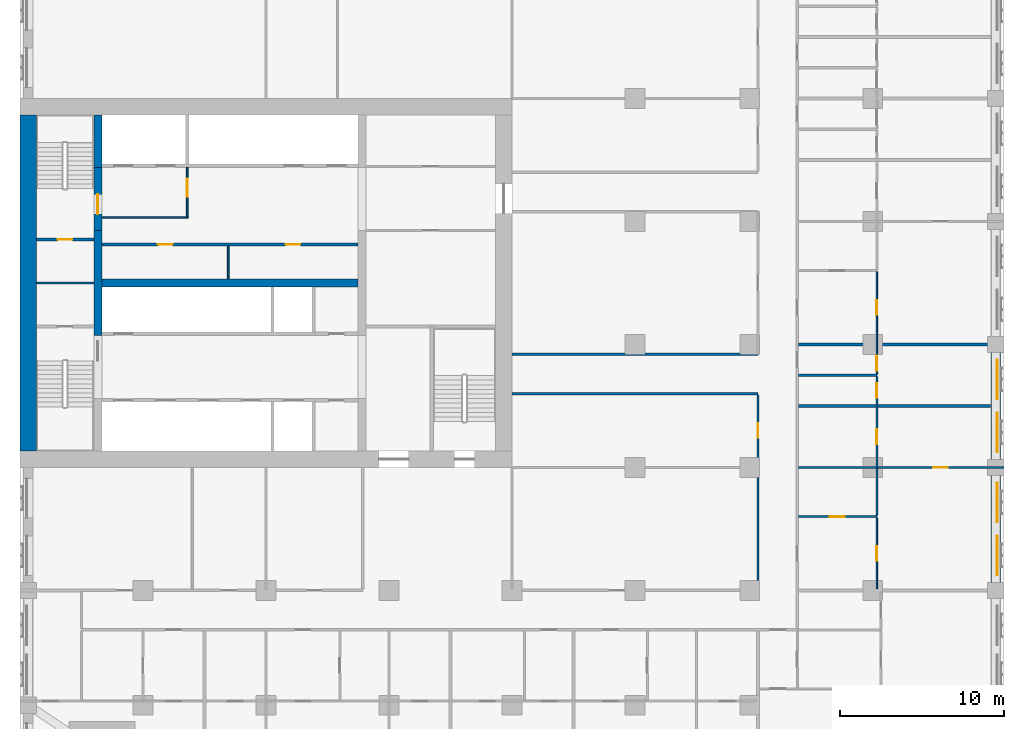
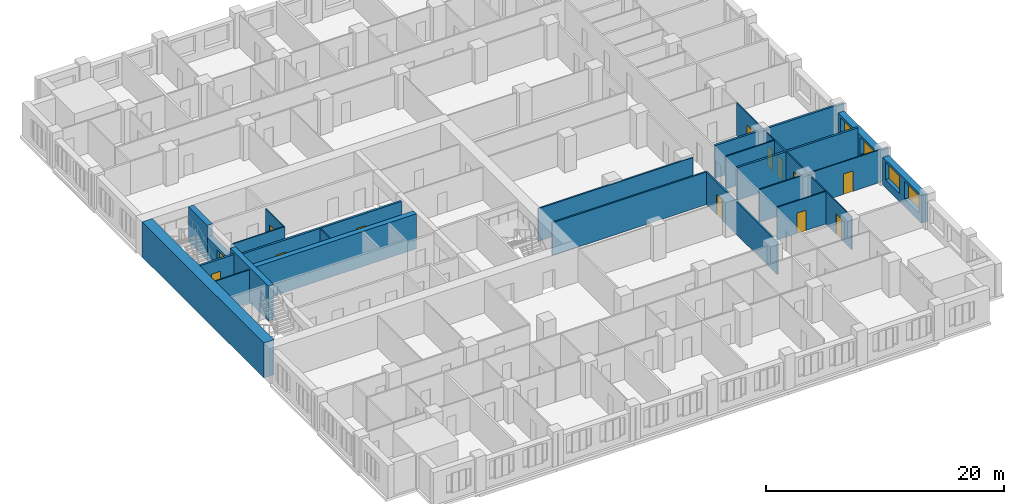
# One storey, part 7 of 14: 25 walls, 13 doors, 4 windows, 17 openings.
"""IFC4 building model written with IfcOpenShell, lengths in metres."""

from ifc_helpers import new_model, si_unit, direction, frame, frame_2d, origin, place, context, subcontext, project, spatial, rectangle, extrude, material, layer, layer_set, type_object, element, fill, save


model = new_model("IFC4")

# Units and contexts
model_context = context("Model", 3, precision=1e-05, world=origin(), true_north=direction((0.0, 1.0)))
body_context = subcontext(model_context, "Body", "Model", "MODEL_VIEW")
ifc_project = project(units=[si_unit("LENGTHUNIT", "METRE"), si_unit("AREAUNIT", "SQUARE_METRE"), si_unit("VOLUMEUNIT", "CUBIC_METRE"), si_unit("PLANEANGLEUNIT", "RADIAN"), si_unit("MASSUNIT", "GRAM", prefix="KILO")], contexts=[model_context])

# Site, building, storey
site_placement = place(None, origin())
site = spatial("IfcSite", under=ifc_project, at=site_placement, CompositionType="ELEMENT")
building_placement = place(site_placement, origin())
building = spatial("IfcBuilding", under=site, at=building_placement, Name="Tamorin Gate", CompositionType="ELEMENT")
storey_placement = place(building_placement, frame((0.0, 0.0, 55.60009765625)))
storey = spatial("IfcBuildingStorey", under=building, at=storey_placement, Name="L12", CompositionType="ELEMENT", Elevation=55.60009765625)

# Wall, openings, windows
ifc_material_1 = material(Name="Precast concrete C40/50", Category="concrete")
ifc_layer_1 = layer(ifc_material_1, 0.60009765625)
ifc_layer_set_1 = layer_set([ifc_layer_1], Name="Precast concrete C40/50")
wall_type_1 = type_object("IfcWallType", Name="Board-marked concrete facade panel 600", PredefinedType="SOLIDWALL", material=ifc_layer_set_1)
wall_1_placement = place(storey_placement, frame((89.5, 53.0, 0.0), z_axis=(0.0, 0.0, 1.0), x_axis=(0.0, 1.0, 0.0)))
wall_1 = element("IfcWall", 1, at=wall_1_placement, inside=storey, type_object=wall_type_1, Name="Facade panel", PredefinedType="SOLIDWALL", context=body_context, shape_type="SweptSolid", body=[
    extrude(rectangle(XDim=6.5, YDim=0.60009765625, at=frame_2d((3.25, 0.0))), origin(), (0.0, 0.0, 1.0), 2.849853515625),
])
opening_1_placement = place(wall_1_placement, frame((0.425048828125, 0.0, 0.800048828125)))
opening_1 = element("IfcOpeningElement", 2, at=opening_1_placement, cuts=wall_1, Name="Opening WN1", PredefinedType="OPENING", context=body_context, shape_type="SweptSolid", body=[
    extrude(rectangle(XDim=2.39990234375, YDim=1.800048828125, at=frame_2d((1.199951171875, 0.89990234375))), frame((0.0, 0.31005859375, 0.0), z_axis=(0.0, -1.0, 0.0), x_axis=(1.0, 0.0, 0.0)), (0.0, 0.0, 1.0), 0.6201171875),
])
opening_2_placement = place(wall_1_placement, frame((3.675048828125, 0.0, 0.800048828125)))
opening_2 = element("IfcOpeningElement", 3, at=opening_2_placement, cuts=wall_1, Name="Opening WN1", PredefinedType="OPENING", context=body_context, shape_type="SweptSolid", body=[
    extrude(rectangle(XDim=2.39990234375, YDim=1.800048828125, at=frame_2d((1.199951171875, 0.89990234375))), frame((0.0, 0.31005859375, 0.0), z_axis=(0.0, -1.0, 0.0), x_axis=(1.0, 0.0, 0.0)), (0.0, 0.0, 1.0), 0.6201171875),
])
ifc_material_2 = material(Name="Clear glass in aluminium frame", Category="aluminium")
window_type = type_object("IfcWindowType", Name="Deep-set window 2400x1800", PartitioningType="SINGLE_PANEL", PredefinedType="WINDOW", material=ifc_material_2)
window_1_placement = place(opening_1_placement, origin())
window_1 = element("IfcWindow", 4, at=window_1_placement, inside=storey, type_object=window_type, Name="Deep-set window", OverallHeight=1.800048828125, OverallWidth=2.39990234375, PartitioningType="SINGLE_PANEL", PredefinedType="WINDOW", context=body_context, shape_type="SweptSolid", body=[
    extrude(rectangle(XDim=2.39990234375, YDim=1.800048828125, at=frame_2d((1.199951171875, 0.89990234375))), frame((0.0, -0.070068359375, 0.0), z_axis=(0.0, -1.0, 0.0), x_axis=(1.0, 0.0, 0.0)), (0.0, 0.0, 1.0), 0.06005859375),
])
fill(opening_1, window_1)
window_2_placement = place(opening_2_placement, origin())
window_2 = element("IfcWindow", 5, at=window_2_placement, inside=storey, type_object=window_type, Name="Deep-set window", OverallHeight=1.800048828125, OverallWidth=2.39990234375, PartitioningType="SINGLE_PANEL", PredefinedType="WINDOW", context=body_context, shape_type="SweptSolid", body=[
    extrude(rectangle(XDim=2.39990234375, YDim=1.800048828125, at=frame_2d((1.199951171875, 0.89990234375))), frame((0.0, -0.070068359375, 0.0), z_axis=(0.0, -1.0, 0.0), x_axis=(1.0, 0.0, 0.0)), (0.0, 0.0, 1.0), 0.06005859375),
])
fill(opening_2, window_2)

wall_2_placement = place(storey_placement, frame((89.5, 60.5, 0.0), z_axis=(0.0, 0.0, 1.0), x_axis=(0.0, 1.0, 0.0)))
wall_2 = element("IfcWall", 6, at=wall_2_placement, inside=storey, type_object=wall_type_1, Name="Facade panel", PredefinedType="SOLIDWALL", context=body_context, shape_type="SweptSolid", body=[
    extrude(rectangle(XDim=6.5, YDim=0.60009765625, at=frame_2d((3.25, 0.0))), origin(), (0.0, 0.0, 1.0), 2.849853515625),
])
opening_3_placement = place(wall_2_placement, frame((0.425048828125, 0.0, 0.800048828125)))
opening_3 = element("IfcOpeningElement", 7, at=opening_3_placement, cuts=wall_2, Name="Opening WN1", PredefinedType="OPENING", context=body_context, shape_type="SweptSolid", body=[
    extrude(rectangle(XDim=2.39990234375, YDim=1.800048828125, at=frame_2d((1.199951171875, 0.89990234375))), frame((0.0, 0.31005859375, 0.0), z_axis=(0.0, -1.0, 0.0), x_axis=(1.0, 0.0, 0.0)), (0.0, 0.0, 1.0), 0.6201171875),
])
opening_4_placement = place(wall_2_placement, frame((3.675048828125, 0.0, 0.800048828125)))
opening_4 = element("IfcOpeningElement", 8, at=opening_4_placement, cuts=wall_2, Name="Opening WN1", PredefinedType="OPENING", context=body_context, shape_type="SweptSolid", body=[
    extrude(rectangle(XDim=2.39990234375, YDim=1.800048828125, at=frame_2d((1.199951171875, 0.89990234375))), frame((0.0, 0.31005859375, 0.0), z_axis=(0.0, -1.0, 0.0), x_axis=(1.0, 0.0, 0.0)), (0.0, 0.0, 1.0), 0.6201171875),
])
window_3_placement = place(opening_3_placement, origin())
window_3 = element("IfcWindow", 9, at=window_3_placement, inside=storey, type_object=window_type, Name="Deep-set window", OverallHeight=1.800048828125, OverallWidth=2.39990234375, PartitioningType="SINGLE_PANEL", PredefinedType="WINDOW", context=body_context, shape_type="SweptSolid", body=[
    extrude(rectangle(XDim=2.39990234375, YDim=1.800048828125, at=frame_2d((1.199951171875, 0.89990234375))), frame((0.0, -0.070068359375, 0.0), z_axis=(0.0, -1.0, 0.0), x_axis=(1.0, 0.0, 0.0)), (0.0, 0.0, 1.0), 0.06005859375),
])
fill(opening_3, window_3)
window_4_placement = place(opening_4_placement, origin())
window_4 = element("IfcWindow", 10, at=window_4_placement, inside=storey, type_object=window_type, Name="Deep-set window", OverallHeight=1.800048828125, OverallWidth=2.39990234375, PartitioningType="SINGLE_PANEL", PredefinedType="WINDOW", context=body_context, shape_type="SweptSolid", body=[
    extrude(rectangle(XDim=2.39990234375, YDim=1.800048828125, at=frame_2d((1.199951171875, 0.89990234375))), frame((0.0, -0.070068359375, 0.0), z_axis=(0.0, -1.0, 0.0), x_axis=(1.0, 0.0, 0.0)), (0.0, 0.0, 1.0), 0.06005859375),
])
fill(opening_4, window_4)

# Wall, opening, door
ifc_material_3 = material(Name="Gypsum board partition")
ifc_layer_2 = layer(ifc_material_3, 0.14990234375)
ifc_layer_set_2 = layer_set([ifc_layer_2], Name="Corridor wall 150")
wall_type_2 = type_object("IfcWallType", Name="Corridor wall 150", PredefinedType="PARTITIONING", material=ifc_layer_set_2)
wall_3_placement = place(storey_placement, frame((75.0, 52.574951171875, 0.0), z_axis=(0.0, 0.0, 1.0), x_axis=(0.0, 1.0, 0.0)))
wall_3 = element("IfcWall", 11, at=wall_3_placement, inside=storey, type_object=wall_type_2, Name="Corridor wall 150", PredefinedType="PARTITIONING", context=body_context, shape_type="SweptSolid", body=[
    extrude(rectangle(XDim=11.85009765625, YDim=0.14990234375, at=frame_2d((5.925048828125, 0.0))), origin(), (0.0, 0.0, 1.0), 3.349853515625),
])
opening_5_placement = place(wall_3_placement, frame((9.22509765625, 0.0, 0.0)))
opening_5 = element("IfcOpeningElement", 12, at=opening_5_placement, cuts=wall_3, Name="Opening DH3081", PredefinedType="OPENING", context=body_context, shape_type="SweptSolid", body=[
    extrude(rectangle(XDim=0.89990234375, YDim=2.10009765625, at=frame_2d((0.449951171875, 1.050048828125))), frame((0.0, 0.0849609375, 0.0), z_axis=(0.0, -1.0, 0.0), x_axis=(1.0, 0.0, 0.0)), (0.0, 0.0, 1.0), 0.169921875),
])
ifc_material_4 = material(Name="Timber door leaf", Category="wood")
door_type_1 = type_object("IfcDoorType", Name="Door 900 x 2100 FD30S", OperationType="NOTDEFINED", PredefinedType="DOOR", material=ifc_material_4)
door_1_placement = place(opening_5_placement, origin())
door_1 = element("IfcDoor", 13, at=door_1_placement, inside=storey, type_object=door_type_1, Name="Door DH3081", OperationType="SINGLE_SWING_LEFT", OverallHeight=2.10009765625, OverallWidth=0.89990234375, PredefinedType="DOOR", context=body_context, shape_type="SweptSolid", body=[
    extrude(rectangle(XDim=0.89990234375, YDim=2.10009765625, at=frame_2d((0.449951171875, 1.050048828125))), frame((0.0, 0.02490234375, 0.0), z_axis=(0.0, -1.0, 0.0), x_axis=(1.0, 0.0, 0.0)), (0.0, 0.0, 1.0), 0.050048828125),
])
fill(opening_5, door_1)

# Walls
ifc_layer_3 = layer(ifc_material_3, 0.199951171875)
ifc_layer_set_3 = layer_set([ifc_layer_3], Name="Demising wall 200")
wall_type_3 = type_object("IfcWallType", Name="Demising wall 200", PredefinedType="PARTITIONING", material=ifc_layer_set_3)
wall_4_placement = place(storey_placement, frame((77.47509765625, 63.75, 0.0), z_axis=(0.0, 0.0, 1.0), x_axis=(1.0, 0.0, 0.0)))
element("IfcWall", 14, at=wall_4_placement, inside=storey, type_object=wall_type_3, Name="Demising wall 200", PredefinedType="PARTITIONING", context=body_context, shape_type="SweptSolid", body=[
    extrude(rectangle(XDim=11.71484375, YDim=0.199951171875, at=frame_2d((5.857421875, 0.0))), origin(), (0.0, 0.0, 1.0), 3.349853515625),
])
wall_5_placement = place(storey_placement, frame((77.47509765625, 67.5, 0.0), z_axis=(0.0, 0.0, 1.0), x_axis=(1.0, 0.0, 0.0)))
element("IfcWall", 15, at=wall_5_placement, inside=storey, type_object=wall_type_3, Name="Demising wall 200", PredefinedType="PARTITIONING", context=body_context, shape_type="SweptSolid", body=[
    extrude(rectangle(XDim=12.52490234375, YDim=0.199951171875, at=frame_2d((6.262451171875, 0.0))), origin(), (0.0, 0.0, 1.0), 3.349853515625),
])
ifc_material_5 = material(Name="Fire-rated gypsum board partition")
ifc_layer_4 = layer(ifc_material_5, 0.10009765625)
ifc_layer_set_4 = layer_set([ifc_layer_4], Name="Lobby wall 100 EI 60")
wall_type_4 = type_object("IfcWallType", Name="Lobby wall 100 EI 60", PredefinedType="PARTITIONING", material=ifc_layer_set_4)
wall_6_placement = place(storey_placement, frame((35.0, 75.25, 0.0), z_axis=(0.0, 0.0, 1.0), x_axis=(1.0, 0.0, 0.0)))
element("IfcWall", 16, at=wall_6_placement, inside=storey, type_object=wall_type_4, Name="Firefighting lobby wall", PredefinedType="PARTITIONING", context=body_context, shape_type="SweptSolid", body=[
    extrude(rectangle(XDim=5.25, YDim=0.10009765625, at=frame_2d((2.625, 0.0))), origin(), (0.0, 0.0, 1.0), 3.349853515625),
])

# Wall, opening, door
wall_7_placement = place(storey_placement, frame((40.199951171875, 75.300048828125, 0.0), z_axis=(0.0, 0.0, 1.0), x_axis=(0.0, 1.0, 0.0)))
wall_7 = element("IfcWall", 17, at=wall_7_placement, inside=storey, type_object=wall_type_4, Name="Firefighting lobby wall", PredefinedType="PARTITIONING", context=body_context, shape_type="SweptSolid", body=[
    extrude(rectangle(XDim=3.0, YDim=0.10009765625, at=frame_2d((1.5, 0.0))), origin(), (0.0, 0.0, 1.0), 3.349853515625),
])
opening_6_placement = place(wall_7_placement, frame((1.199951171875, 0.0, 0.0)))
opening_6 = element("IfcOpeningElement", 18, at=opening_6_placement, cuts=wall_7, Name="Opening DF1", PredefinedType="OPENING", context=body_context, shape_type="SweptSolid", body=[
    extrude(rectangle(XDim=1.10009765625, YDim=2.10009765625, at=frame_2d((0.550048828125, 1.050048828125))), frame((0.0, 0.06005859375, 0.0), z_axis=(0.0, -1.0, 0.0), x_axis=(1.0, 0.0, 0.0)), (0.0, 0.0, 1.0), 0.1201171875),
])
ifc_material_6 = material(Name="Steel fire door", Category="steel")
door_type_2 = type_object("IfcDoorType", Name="Firefighting lobby door 1100 x 2100 EI 90", OperationType="SINGLE_SWING_LEFT", PredefinedType="DOOR", material=ifc_material_6)
door_2_placement = place(opening_6_placement, origin())
door_2 = element("IfcDoor", 19, at=door_2_placement, inside=storey, type_object=door_type_2, Name="Firefighting lobby door", OperationType="SINGLE_SWING_LEFT", OverallHeight=2.10009765625, OverallWidth=1.10009765625, PredefinedType="DOOR", context=body_context, shape_type="SweptSolid", body=[
    extrude(rectangle(XDim=1.10009765625, YDim=2.10009765625, at=frame_2d((0.550048828125, 1.050048828125))), frame((0.0, 0.02490234375, 0.0), z_axis=(0.0, -1.0, 0.0), x_axis=(1.0, 0.0, 0.0)), (0.0, 0.0, 1.0), 0.050048828125),
])
fill(opening_6, door_2)

# Walls
ifc_layer_5 = layer(ifc_material_3, 0.14990234375)
ifc_layer_set_5 = layer_set([ifc_layer_5], Name="Lobby wall 150")
wall_type_5 = type_object("IfcWallType", Name="Lobby wall 150", PredefinedType="PARTITIONING", material=ifc_layer_set_5)
for number, where, z_axis, x_axis, name in (
    (20, (60.0, 64.5, 0.0), (0.0, 0.0, 1.0), (1.0, 0.0, 0.0), "Lobby wall 150"),
    (21, (60.0, 66.89990234375, 0.0), (0.0, 0.0, 1.0), (1.0, 0.0, 0.0), "Lobby wall 150"),
):
    element("IfcWall", number, at=place(storey_placement, frame(where, z_axis=z_axis, x_axis=x_axis)), inside=storey, type_object=wall_type_5, Name=name, PredefinedType="PARTITIONING", context=body_context, shape_type="SweptSolid", body=[
        extrude(rectangle(XDim=15.0, YDim=0.14990234375, at=frame_2d((7.5, 0.0))), origin(), (0.0, 0.0, 1.0), 3.349853515625),
    ])
ifc_material_7 = material(Name="Concrete C80/95", Category="concrete")
ifc_layer_6 = layer(ifc_material_7, 0.5)
ifc_layer_set_6 = layer_set([ifc_layer_6], Name="RC core internal wall 500 C80/95")
wall_type_6 = type_object("IfcWallType", Name="RC core internal wall 500 C80/95", PredefinedType="SHEAR", material=ifc_layer_set_6)
wall_8_placement = place(storey_placement, frame((35.0, 71.25, 0.0), z_axis=(0.0, 0.0, 1.0), x_axis=(1.0, 0.0, 0.0)))
element("IfcWall", 22, at=wall_8_placement, inside=storey, type_object=wall_type_6, Name="Core spine wall L12", PredefinedType="SHEAR", context=body_context, shape_type="SweptSolid", body=[
    extrude(rectangle(XDim=15.60009765625, YDim=0.5, at=frame_2d((7.800048828125, 0.0))), origin(), (0.0, 0.0, 1.0), 3.599853515625),
])
wall_9_placement = place(storey_placement, frame((34.75, 68.050048828125, 0.0), z_axis=(0.0, 0.0, 1.0), x_axis=(0.0, 1.0, 0.0)))
element("IfcWall", 23, at=wall_9_placement, inside=storey, type_object=wall_type_6, Name="Core cross wall L12", PredefinedType="SHEAR", context=body_context, shape_type="SweptSolid", body=[
    extrude(rectangle(XDim=6.39990234375, YDim=0.5, at=frame_2d((3.199951171875, 0.0))), origin(), (0.0, 0.0, 1.0), 3.599853515625),
])
wall_10_placement = place(storey_placement, frame((34.75, 78.300048828125, 0.0), z_axis=(0.0, 0.0, 1.0), x_axis=(0.0, 1.0, 0.0)))
element("IfcWall", 24, at=wall_10_placement, inside=storey, type_object=wall_type_6, Name="Core cross wall L12", PredefinedType="SHEAR", context=body_context, shape_type="SweptSolid", body=[
    extrude(rectangle(XDim=3.199951171875, YDim=0.5, at=frame_2d((1.60009765625, 0.0))), origin(), (0.0, 0.0, 1.0), 3.599853515625),
])
ifc_layer_7 = layer(ifc_material_7, 1.0)
ifc_layer_set_7 = layer_set([ifc_layer_7], Name="RC core wall 1000 C80/95")
wall_type_7 = type_object("IfcWallType", Name="RC core wall 1000 C80/95", PredefinedType="SHEAR", material=ifc_layer_set_7)
wall_11_placement = place(storey_placement, frame((30.5, 61.0, 0.0), z_axis=(0.0, 0.0, 1.0), x_axis=(0.0, 1.0, 0.0)))
element("IfcWall", 25, at=wall_11_placement, inside=storey, type_object=wall_type_7, Name="Core wall L12", PredefinedType="SHEAR", context=body_context, shape_type="SweptSolid", body=[
    extrude(rectangle(XDim=20.5, YDim=1.0, at=frame_2d((10.25, 0.0))), origin(), (0.0, 0.0, 1.0), 3.599853515625),
])
ifc_layer_8 = layer(ifc_material_5, 0.10009765625)
ifc_layer_set_8 = layer_set([ifc_layer_8], Name="Riser partition 100 EI 120")
wall_type_8 = type_object("IfcWallType", Name="Riser partition 100 EI 120", PredefinedType="PARTITIONING", material=ifc_layer_set_8)
wall_12_placement = place(storey_placement, frame((31.0, 71.25, 0.0), z_axis=(0.0, 0.0, 1.0), x_axis=(1.0, 0.0, 0.0)))
element("IfcWall", 26, at=wall_12_placement, inside=storey, type_object=wall_type_8, Name="Riser partition", PredefinedType="PARTITIONING", context=body_context, shape_type="SweptSolid", body=[
    extrude(rectangle(XDim=3.5, YDim=0.10009765625, at=frame_2d((1.75, 0.0))), origin(), (0.0, 0.0, 1.0), 3.349853515625),
])

# Wall, opening, door
ifc_layer_9 = layer(ifc_material_3, 0.10009765625)
ifc_layer_set_9 = layer_set([ifc_layer_9], Name="Room partition 100")
wall_type_9 = type_object("IfcWallType", Name="Room partition 100", PredefinedType="PARTITIONING", material=ifc_layer_set_9)
wall_13_placement = place(storey_placement, frame((82.3125, 60.0, 0.0), z_axis=(0.0, 0.0, 1.0), x_axis=(1.0, 0.0, 0.0)))
wall_13 = element("IfcWall", 27, at=wall_13_placement, inside=storey, type_object=wall_type_9, Name="Room partition 100", PredefinedType="PARTITIONING", context=body_context, shape_type="SweptSolid", body=[
    extrude(rectangle(XDim=7.6875, YDim=0.10009765625, at=frame_2d((3.84375, 0.0))), origin(), (0.0, 0.0, 1.0), 3.349853515625),
])
opening_7_placement = place(wall_13_placement, frame((3.362548828125, 0.0, 0.0)))
opening_7 = element("IfcOpeningElement", 28, at=opening_7_placement, cuts=wall_13, Name="Opening DH3043", PredefinedType="OPENING", context=body_context, shape_type="SweptSolid", body=[
    extrude(rectangle(XDim=0.89990234375, YDim=2.10009765625, at=frame_2d((0.449951171875, 1.050048828125))), frame((0.0, 0.06005859375, 0.0), z_axis=(0.0, -1.0, 0.0), x_axis=(1.0, 0.0, 0.0)), (0.0, 0.0, 1.0), 0.1201171875),
])
door_type_3 = type_object("IfcDoorType", Name="Door 900 x 2100", OperationType="NOTDEFINED", PredefinedType="DOOR", material=ifc_material_4)
door_3_placement = place(opening_7_placement, origin())
door_3 = element("IfcDoor", 29, at=door_3_placement, inside=storey, type_object=door_type_3, Name="Door DH3043", OperationType="SINGLE_SWING_RIGHT", OverallHeight=2.10009765625, OverallWidth=0.89990234375, PredefinedType="DOOR", context=body_context, shape_type="SweptSolid", body=[
    extrude(rectangle(XDim=0.89990234375, YDim=2.10009765625, at=frame_2d((0.449951171875, 1.050048828125))), frame((0.0, 0.02490234375, 0.0), z_axis=(0.0, -1.0, 0.0), x_axis=(1.0, 0.0, 0.0)), (0.0, 0.0, 1.0), 0.050048828125),
])
fill(opening_7, door_3)

wall_14_placement = place(storey_placement, frame((82.25, 52.60009765625, 0.0), z_axis=(0.0, 0.0, 1.0), x_axis=(0.0, 1.0, 0.0)))
wall_14 = element("IfcWall", 30, at=wall_14_placement, inside=storey, type_object=wall_type_9, Name="Room partition 100", PredefinedType="PARTITIONING", context=body_context, shape_type="SweptSolid", body=[
    extrude(rectangle(XDim=4.33740234375, YDim=0.10009765625, at=frame_2d((2.168701171875, 0.0))), origin(), (0.0, 0.0, 1.0), 3.349853515625),
])
opening_8_placement = place(wall_14_placement, frame((1.699951171875, 0.0, 0.0)))
opening_8 = element("IfcOpeningElement", 31, at=opening_8_placement, cuts=wall_14, Name="Opening DH3040", PredefinedType="OPENING", context=body_context, shape_type="SweptSolid", body=[
    extrude(rectangle(XDim=0.89990234375, YDim=2.10009765625, at=frame_2d((0.449951171875, 1.050048828125))), frame((0.0, 0.06005859375, 0.0), z_axis=(0.0, -1.0, 0.0), x_axis=(1.0, 0.0, 0.0)), (0.0, 0.0, 1.0), 0.1201171875),
])
door_4_placement = place(opening_8_placement, origin())
door_4 = element("IfcDoor", 32, at=door_4_placement, inside=storey, type_object=door_type_3, Name="Door DH3040", OperationType="SINGLE_SWING_LEFT", OverallHeight=2.10009765625, OverallWidth=0.89990234375, PredefinedType="DOOR", context=body_context, shape_type="SweptSolid", body=[
    extrude(rectangle(XDim=0.89990234375, YDim=2.10009765625, at=frame_2d((0.449951171875, 1.050048828125))), frame((0.0, 0.02490234375, 0.0), z_axis=(0.0, -1.0, 0.0), x_axis=(1.0, 0.0, 0.0)), (0.0, 0.0, 1.0), 0.050048828125),
])
fill(opening_8, door_4)

# Wall, openings, doors
wall_15_placement = place(storey_placement, frame((82.25, 65.6875, 0.0), z_axis=(0.0, 0.0, 1.0), x_axis=(0.0, 1.0, 0.0)))
wall_15 = element("IfcWall", 33, at=wall_15_placement, inside=storey, type_object=wall_type_9, Name="Room partition 100", PredefinedType="PARTITIONING", context=body_context, shape_type="SweptSolid", body=[
    extrude(rectangle(XDim=6.25, YDim=0.10009765625, at=frame_2d((3.125, 0.0))), origin(), (0.0, 0.0, 1.0), 3.349853515625),
])
opening_9_placement = place(wall_15_placement, frame((0.22509765625, 0.0, 0.0)))
opening_9 = element("IfcOpeningElement", 34, at=opening_9_placement, cuts=wall_15, Name="Opening DH3046", PredefinedType="OPENING", context=body_context, shape_type="SweptSolid", body=[
    extrude(rectangle(XDim=0.89990234375, YDim=2.10009765625, at=frame_2d((0.449951171875, 1.050048828125))), frame((0.0, 0.06005859375, 0.0), z_axis=(0.0, -1.0, 0.0), x_axis=(1.0, 0.0, 0.0)), (0.0, 0.0, 1.0), 0.1201171875),
])
opening_10_placement = place(wall_15_placement, frame((3.612548828125, 0.0, 0.0)))
opening_10 = element("IfcOpeningElement", 35, at=opening_10_placement, cuts=wall_15, Name="Opening DH3048", PredefinedType="OPENING", context=body_context, shape_type="SweptSolid", body=[
    extrude(rectangle(XDim=0.89990234375, YDim=2.10009765625, at=frame_2d((0.449951171875, 1.050048828125))), frame((0.0, 0.06005859375, 0.0), z_axis=(0.0, -1.0, 0.0), x_axis=(1.0, 0.0, 0.0)), (0.0, 0.0, 1.0), 0.1201171875),
])
door_5_placement = place(opening_9_placement, origin())
door_5 = element("IfcDoor", 36, at=door_5_placement, inside=storey, type_object=door_type_3, Name="Door DH3046", OperationType="SINGLE_SWING_LEFT", OverallHeight=2.10009765625, OverallWidth=0.89990234375, PredefinedType="DOOR", context=body_context, shape_type="SweptSolid", body=[
    extrude(rectangle(XDim=0.89990234375, YDim=2.10009765625, at=frame_2d((0.449951171875, 1.050048828125))), frame((0.0, 0.02490234375, 0.0), z_axis=(0.0, -1.0, 0.0), x_axis=(1.0, 0.0, 0.0)), (0.0, 0.0, 1.0), 0.050048828125),
])
fill(opening_9, door_5)
door_6_placement = place(opening_10_placement, origin())
door_6 = element("IfcDoor", 37, at=door_6_placement, inside=storey, type_object=door_type_3, Name="Door DH3048", OperationType="SINGLE_SWING_LEFT", OverallHeight=2.10009765625, OverallWidth=0.89990234375, PredefinedType="DOOR", context=body_context, shape_type="SweptSolid", body=[
    extrude(rectangle(XDim=0.89990234375, YDim=2.10009765625, at=frame_2d((0.449951171875, 1.050048828125))), frame((0.0, 0.02490234375, 0.0), z_axis=(0.0, -1.0, 0.0), x_axis=(1.0, 0.0, 0.0)), (0.0, 0.0, 1.0), 0.050048828125),
])
fill(opening_10, door_6)

ifc_layer_10 = layer(ifc_material_3, 0.199951171875)
ifc_layer_set_10 = layer_set([ifc_layer_10], Name="Service room face wall 200 EI 60")
wall_type_10 = type_object("IfcWallType", Name="Service room face wall 200 EI 60", PredefinedType="PARTITIONING", material=ifc_layer_set_10)
wall_16_placement = place(storey_placement, frame((35.0, 73.60009765625, 0.0), z_axis=(0.0, 0.0, 1.0), x_axis=(1.0, 0.0, 0.0)))
wall_16 = element("IfcWall", 38, at=wall_16_placement, inside=storey, type_object=wall_type_10, Name="Service room face wall", PredefinedType="PARTITIONING", context=body_context, shape_type="SweptSolid", body=[
    extrude(rectangle(XDim=15.60009765625, YDim=0.199951171875, at=frame_2d((7.800048828125, 0.0))), origin(), (0.0, 0.0, 1.0), 3.349853515625),
])
opening_11_placement = place(wall_16_placement, frame((3.39990234375, 0.0, 0.0)))
opening_11 = element("IfcOpeningElement", 39, at=opening_11_placement, cuts=wall_16, Name="Opening DK1", PredefinedType="OPENING", context=body_context, shape_type="SweptSolid", body=[
    extrude(rectangle(XDim=0.89990234375, YDim=2.10009765625, at=frame_2d((0.449951171875, 1.050048828125))), frame((0.0, 0.10986328125, 0.0), z_axis=(0.0, -1.0, 0.0), x_axis=(1.0, 0.0, 0.0)), (0.0, 0.0, 1.0), 0.219970703125),
])
opening_12_placement = place(wall_16_placement, frame((11.199951171875, 0.0, 0.0)))
opening_12 = element("IfcOpeningElement", 40, at=opening_12_placement, cuts=wall_16, Name="Opening DK1", PredefinedType="OPENING", context=body_context, shape_type="SweptSolid", body=[
    extrude(rectangle(XDim=0.89990234375, YDim=2.10009765625, at=frame_2d((0.449951171875, 1.050048828125))), frame((0.0, 0.10986328125, 0.0), z_axis=(0.0, -1.0, 0.0), x_axis=(1.0, 0.0, 0.0)), (0.0, 0.0, 1.0), 0.219970703125),
])
ifc_material_8 = material(Name="Timber fire door", Category="wood")
door_type_4 = type_object("IfcDoorType", Name="Service room door 900 x 2100 EI 60", OperationType="SINGLE_SWING_LEFT", PredefinedType="DOOR", material=ifc_material_8)
door_7_placement = place(opening_11_placement, origin())
door_7 = element("IfcDoor", 41, at=door_7_placement, inside=storey, type_object=door_type_4, Name="Door Housekeeping store", OperationType="SINGLE_SWING_RIGHT", OverallHeight=2.10009765625, OverallWidth=0.89990234375, PredefinedType="DOOR", context=body_context, shape_type="SweptSolid", body=[
    extrude(rectangle(XDim=0.89990234375, YDim=2.10009765625, at=frame_2d((0.449951171875, 1.050048828125))), frame((0.0, 0.02490234375, 0.0), z_axis=(0.0, -1.0, 0.0), x_axis=(1.0, 0.0, 0.0)), (0.0, 0.0, 1.0), 0.050048828125),
])
fill(opening_11, door_7)
door_8_placement = place(opening_12_placement, origin())
door_8 = element("IfcDoor", 42, at=door_8_placement, inside=storey, type_object=door_type_4, Name="Door Electrical and IT room", OperationType="SINGLE_SWING_LEFT", OverallHeight=2.10009765625, OverallWidth=0.89990234375, PredefinedType="DOOR", context=body_context, shape_type="SweptSolid", body=[
    extrude(rectangle(XDim=0.89990234375, YDim=2.10009765625, at=frame_2d((0.449951171875, 1.050048828125))), frame((0.0, 0.02490234375, 0.0), z_axis=(0.0, -1.0, 0.0), x_axis=(1.0, 0.0, 0.0)), (0.0, 0.0, 1.0), 0.050048828125),
])
fill(opening_12, door_8)

# Wall
ifc_layer_11 = layer(ifc_material_3, 0.10009765625)
ifc_layer_set_11 = layer_set([ifc_layer_11], Name="Service room partition 100 EI 60")
wall_type_11 = type_object("IfcWallType", Name="Service room partition 100 EI 60", PredefinedType="PARTITIONING", material=ifc_layer_set_11)
wall_17_placement = place(storey_placement, frame((42.699951171875, 71.5, 0.0), z_axis=(0.0, 0.0, 1.0), x_axis=(0.0, 1.0, 0.0)))
element("IfcWall", 43, at=wall_17_placement, inside=storey, type_object=wall_type_11, Name="Service room partition", PredefinedType="PARTITIONING", context=body_context, shape_type="SweptSolid", body=[
    extrude(rectangle(XDim=2.0, YDim=0.10009765625, at=frame_2d((1.0, 0.0))), origin(), (0.0, 0.0, 1.0), 3.349853515625),
])

# Wall, opening, door
ifc_material_9 = material(Name="Concrete C40/50", Category="concrete")
ifc_layer_12 = layer(ifc_material_9, 0.199951171875)
ifc_layer_set_12 = layer_set([ifc_layer_12], Name="Stair enclosure wall 200 EI 120 C40/50")
wall_type_12 = type_object("IfcWallType", Name="Stair enclosure wall 200 EI 120 C40/50", PredefinedType="SOLIDWALL", material=ifc_layer_set_12)
wall_18_placement = place(storey_placement, frame((31.0, 73.89990234375, 0.0), z_axis=(0.0, 0.0, 1.0), x_axis=(1.0, 0.0, 0.0)))
wall_18 = element("IfcWall", 44, at=wall_18_placement, inside=storey, type_object=wall_type_12, Name="Stair enclosure wall", PredefinedType="SOLIDWALL", context=body_context, shape_type="SweptSolid", body=[
    extrude(rectangle(XDim=3.5, YDim=0.199951171875, at=frame_2d((1.75, 0.0))), origin(), (0.0, 0.0, 1.0), 3.349853515625),
])
opening_13_placement = place(wall_18_placement, frame((1.300048828125, 0.0, 0.0)))
opening_13 = element("IfcOpeningElement", 45, at=opening_13_placement, cuts=wall_18, Name="Opening DR1", PredefinedType="OPENING", context=body_context, shape_type="SweptSolid", body=[
    extrude(rectangle(XDim=0.89990234375, YDim=2.10009765625, at=frame_2d((0.449951171875, 1.050048828125))), frame((0.0, 0.10986328125, 0.0), z_axis=(0.0, -1.0, 0.0), x_axis=(1.0, 0.0, 0.0)), (0.0, 0.0, 1.0), 0.219970703125),
])
door_type_5 = type_object("IfcDoorType", Name="Riser access door 900 x 2100 EI 120", OperationType="SINGLE_SWING_LEFT", PredefinedType="DOOR", material=ifc_material_6)
door_9_placement = place(opening_13_placement, origin())
door_9 = element("IfcDoor", 46, at=door_9_placement, inside=storey, type_object=door_type_5, Name="Communications riser door", OperationType="SINGLE_SWING_RIGHT", OverallHeight=2.10009765625, OverallWidth=0.89990234375, PredefinedType="DOOR", context=body_context, shape_type="SweptSolid", body=[
    extrude(rectangle(XDim=0.89990234375, YDim=2.10009765625, at=frame_2d((0.449951171875, 1.050048828125))), frame((0.0, 0.02490234375, 0.0), z_axis=(0.0, -1.0, 0.0), x_axis=(1.0, 0.0, 0.0)), (0.0, 0.0, 1.0), 0.050048828125),
])
fill(opening_13, door_9)

ifc_material_10 = material(Name="Concrete C32/40", Category="concrete")
ifc_layer_13 = layer(ifc_material_10, 0.5)
ifc_layer_set_13 = layer_set([ifc_layer_13], Name="Stair lobby infill wall 500 EI 120")
wall_type_13 = type_object("IfcWallType", Name="Stair lobby infill wall 500 EI 120", PredefinedType="SOLIDWALL", material=ifc_layer_set_13)
wall_19_placement = place(storey_placement, frame((34.75, 74.449951171875, 0.0), z_axis=(0.0, 0.0, 1.0), x_axis=(0.0, 1.0, 0.0)))
wall_19 = element("IfcWall", 47, at=wall_19_placement, inside=storey, type_object=wall_type_13, Name="Stair lobby infill wall", PredefinedType="SOLIDWALL", context=body_context, shape_type="SweptSolid", body=[
    extrude(rectangle(XDim=3.85009765625, YDim=0.5, at=frame_2d((1.925048828125, 0.0))), origin(), (0.0, 0.0, 1.0), 2.39990234375),
])
opening_14_placement = place(wall_19_placement, frame((1.0, 0.0, 0.0)))
opening_14 = element("IfcOpeningElement", 48, at=opening_14_placement, cuts=wall_19, Name="Opening DS1", PredefinedType="OPENING", context=body_context, shape_type="SweptSolid", body=[
    extrude(rectangle(XDim=1.199951171875, YDim=2.10009765625, at=frame_2d((0.60009765625, 1.050048828125))), frame((0.0, 0.260009765625, 0.0), z_axis=(0.0, -1.0, 0.0), x_axis=(1.0, 0.0, 0.0)), (0.0, 0.0, 1.0), 0.52001953125),
])
door_type_6 = type_object("IfcDoorType", Name="Stair door 1200 x 2100 EI 90", OperationType="SINGLE_SWING_LEFT", PredefinedType="DOOR", material=ifc_material_6)
door_10_placement = place(opening_14_placement, origin())
door_10 = element("IfcDoor", 49, at=door_10_placement, inside=storey, type_object=door_type_6, Name="ST2 door", OperationType="SINGLE_SWING_RIGHT", OverallHeight=2.10009765625, OverallWidth=1.199951171875, PredefinedType="DOOR", context=body_context, shape_type="SweptSolid", body=[
    extrude(rectangle(XDim=1.199951171875, YDim=2.10009765625, at=frame_2d((0.60009765625, 1.050048828125))), frame((0.0, 0.02490234375, 0.0), z_axis=(0.0, -1.0, 0.0), x_axis=(1.0, 0.0, 0.0)), (0.0, 0.0, 1.0), 0.050048828125),
])
fill(opening_14, door_10)

ifc_layer_14 = layer(ifc_material_3, 0.125)
ifc_layer_set_14 = layer_set([ifc_layer_14], Name="Wet wall 125")
wall_type_14 = type_object("IfcWallType", Name="Wet wall 125", PredefinedType="PARTITIONING", material=ifc_layer_set_14)
wall_20_placement = place(storey_placement, frame((77.47509765625, 57.0, 0.0), z_axis=(0.0, 0.0, 1.0), x_axis=(1.0, 0.0, 0.0)))
wall_20 = element("IfcWall", 50, at=wall_20_placement, inside=storey, type_object=wall_type_14, Name="Wet wall 125", PredefinedType="PARTITIONING", context=body_context, shape_type="SweptSolid", body=[
    extrude(rectangle(XDim=4.77490234375, YDim=0.125, at=frame_2d((2.387451171875, 0.0))), origin(), (0.0, 0.0, 1.0), 3.349853515625),
])
opening_15_placement = place(wall_20_placement, frame((1.89990234375, 0.0, 0.0)))
opening_15 = element("IfcOpeningElement", 51, at=opening_15_placement, cuts=wall_20, Name="Opening DH3041", PredefinedType="OPENING", context=body_context, shape_type="SweptSolid", body=[
    extrude(rectangle(XDim=0.89990234375, YDim=2.10009765625, at=frame_2d((0.449951171875, 1.050048828125))), frame((0.0, 0.072509765625, 0.0), z_axis=(0.0, -1.0, 0.0), x_axis=(1.0, 0.0, 0.0)), (0.0, 0.0, 1.0), 0.14501953125),
])
door_11_placement = place(opening_15_placement, origin())
door_11 = element("IfcDoor", 52, at=door_11_placement, inside=storey, type_object=door_type_3, Name="Door DH3041", OperationType="SINGLE_SWING_RIGHT", OverallHeight=2.10009765625, OverallWidth=0.89990234375, PredefinedType="DOOR", context=body_context, shape_type="SweptSolid", body=[
    extrude(rectangle(XDim=0.89990234375, YDim=2.10009765625, at=frame_2d((0.449951171875, 1.050048828125))), frame((0.0, 0.02490234375, 0.0), z_axis=(0.0, -1.0, 0.0), x_axis=(1.0, 0.0, 0.0)), (0.0, 0.0, 1.0), 0.050048828125),
])
fill(opening_15, door_11)

# Walls
wall_21_placement = place(storey_placement, frame((77.47509765625, 60.0, 0.0), z_axis=(0.0, 0.0, 1.0), x_axis=(1.0, 0.0, 0.0)))
element("IfcWall", 53, at=wall_21_placement, inside=storey, type_object=wall_type_14, Name="Wet wall 125", PredefinedType="PARTITIONING", context=body_context, shape_type="SweptSolid", body=[
    extrude(rectangle(XDim=4.71240234375, YDim=0.125, at=frame_2d((2.356201171875, 0.0))), origin(), (0.0, 0.0, 1.0), 3.349853515625),
])
wall_22_placement = place(storey_placement, frame((77.47509765625, 65.625, 0.0), z_axis=(0.0, 0.0, 1.0), x_axis=(1.0, 0.0, 0.0)))
element("IfcWall", 54, at=wall_22_placement, inside=storey, type_object=wall_type_14, Name="Wet wall 125", PredefinedType="PARTITIONING", context=body_context, shape_type="SweptSolid", body=[
    extrude(rectangle(XDim=4.77490234375, YDim=0.125, at=frame_2d((2.387451171875, 0.0))), origin(), (0.0, 0.0, 1.0), 3.349853515625),
])

# Wall, openings, doors
wall_23_placement = place(storey_placement, frame((82.25, 57.0625, 0.0), z_axis=(0.0, 0.0, 1.0), x_axis=(0.0, 1.0, 0.0)))
wall_23 = element("IfcWall", 55, at=wall_23_placement, inside=storey, type_object=wall_type_14, Name="Wet wall 125", PredefinedType="PARTITIONING", context=body_context, shape_type="SweptSolid", body=[
    extrude(rectangle(XDim=8.5, YDim=0.125, at=frame_2d((4.25, 0.0))), origin(), (0.0, 0.0, 1.0), 3.349853515625),
])
opening_16_placement = place(wall_23_placement, frame((4.362548828125, 0.0, 0.0)))
opening_16 = element("IfcOpeningElement", 56, at=opening_16_placement, cuts=wall_23, Name="Opening DH3042", PredefinedType="OPENING", context=body_context, shape_type="SweptSolid", body=[
    extrude(rectangle(XDim=0.89990234375, YDim=2.10009765625, at=frame_2d((0.449951171875, 1.050048828125))), frame((0.0, 0.072509765625, 0.0), z_axis=(0.0, -1.0, 0.0), x_axis=(1.0, 0.0, 0.0)), (0.0, 0.0, 1.0), 0.14501953125),
])
opening_17_placement = place(wall_23_placement, frame((7.175048828125, 0.0, 0.0)))
opening_17 = element("IfcOpeningElement", 57, at=opening_17_placement, cuts=wall_23, Name="Opening DH3044", PredefinedType="OPENING", context=body_context, shape_type="SweptSolid", body=[
    extrude(rectangle(XDim=0.89990234375, YDim=2.10009765625, at=frame_2d((0.449951171875, 1.050048828125))), frame((0.0, 0.072509765625, 0.0), z_axis=(0.0, -1.0, 0.0), x_axis=(1.0, 0.0, 0.0)), (0.0, 0.0, 1.0), 0.14501953125),
])
door_12_placement = place(opening_16_placement, origin())
door_12 = element("IfcDoor", 58, at=door_12_placement, inside=storey, type_object=door_type_3, Name="Door DH3042", OperationType="SINGLE_SWING_LEFT", OverallHeight=2.10009765625, OverallWidth=0.89990234375, PredefinedType="DOOR", context=body_context, shape_type="SweptSolid", body=[
    extrude(rectangle(XDim=0.89990234375, YDim=2.10009765625, at=frame_2d((0.449951171875, 1.050048828125))), frame((0.0, 0.02490234375, 0.0), z_axis=(0.0, -1.0, 0.0), x_axis=(1.0, 0.0, 0.0)), (0.0, 0.0, 1.0), 0.050048828125),
])
fill(opening_16, door_12)
door_13_placement = place(opening_17_placement, origin())
door_13 = element("IfcDoor", 59, at=door_13_placement, inside=storey, type_object=door_type_3, Name="Door DH3044", OperationType="SINGLE_SWING_LEFT", OverallHeight=2.10009765625, OverallWidth=0.89990234375, PredefinedType="DOOR", context=body_context, shape_type="SweptSolid", body=[
    extrude(rectangle(XDim=0.89990234375, YDim=2.10009765625, at=frame_2d((0.449951171875, 1.050048828125))), frame((0.0, 0.02490234375, 0.0), z_axis=(0.0, -1.0, 0.0), x_axis=(1.0, 0.0, 0.0)), (0.0, 0.0, 1.0), 0.050048828125),
])
fill(opening_17, door_13)

save(model, "model.ifc")
